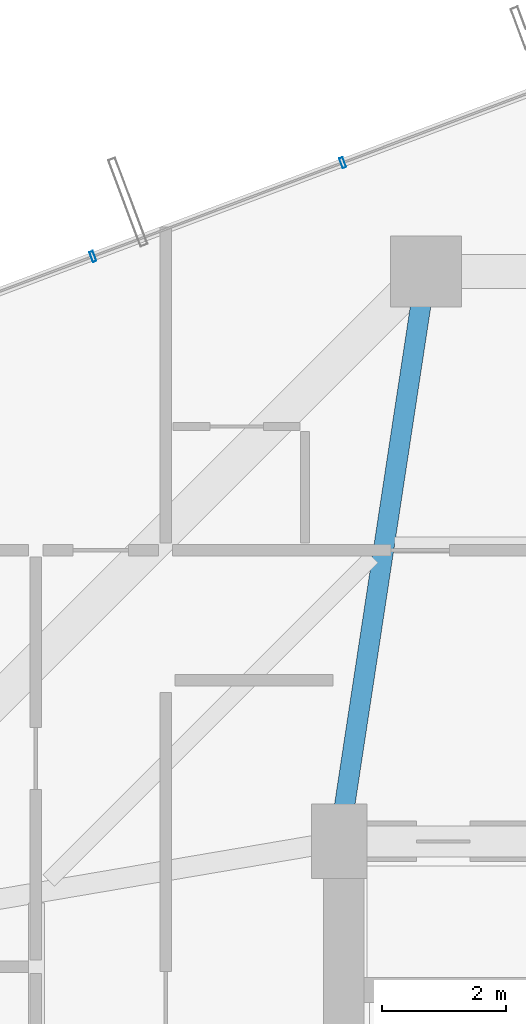
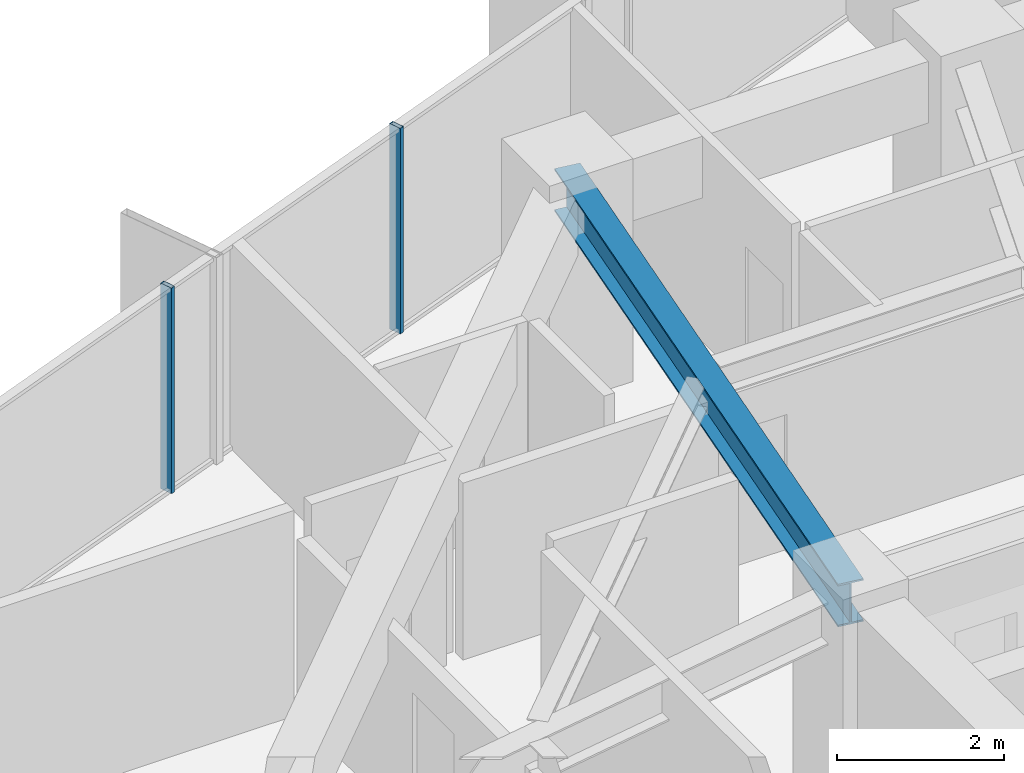
# One storey, part 20 of 30: 2 members, 1 beam, 1 element without a shape of its own.
"""IFC4 building model written with IfcOpenShell, lengths in metres."""

from ifc_helpers import new_model, si_unit, direction, frame, origin, origin_2d, place, context, subcontext, project, spatial, hollow_rectangle, i_section, extrude, source, transform, mapped, material, layer, layer_set, material_profile, profile_set, type_object, element, aggregate, save


model = new_model("IFC4")

# Units and contexts
model_context = context("Model", 3, precision=1e-05, world=origin(), true_north=direction((0.0, 1.0)))
body_context = subcontext(model_context, "Body", "Model", "MODEL_VIEW")
ifc_project = project(units=[si_unit("LENGTHUNIT", "METRE"), si_unit("AREAUNIT", "SQUARE_METRE"), si_unit("VOLUMEUNIT", "CUBIC_METRE"), si_unit("PLANEANGLEUNIT", "RADIAN"), si_unit("MASSUNIT", "GRAM", prefix="KILO")], contexts=[model_context])

# Site, building, storey
site_placement = place(None, origin())
site = spatial("IfcSite", under=ifc_project, at=site_placement, CompositionType="ELEMENT")
building_placement = place(site_placement, origin())
building = spatial("IfcBuilding", under=site, at=building_placement, Name="Veraguas Prism Commons", CompositionType="ELEMENT")
storey_placement = place(building_placement, frame((0.0, 0.0, 95.949951171875)))
storey = spatial("IfcBuildingStorey", under=building, at=storey_placement, Name="L26", CompositionType="ELEMENT", Elevation=95.949951171875)

# Beam
ifc_material_1 = material(Name="Steel ASTM A992 Grade 50", Category="steel")
ifc_material_profile_1 = material_profile(ifc_material_1, i_section(OverallWidth=0.327880859375, OverallDepth=0.6220703125, WebThickness=0.015380859375, FlangeThickness=0.0244140625, at=origin_2d()), Name="W610X195")
ifc_profile_set_1 = profile_set([ifc_material_profile_1], Name="Steel ASTM A992 Grade 50")
beam_type = type_object("IfcBeamType", Name="Zone 2 Radial Girder W610x195", PredefinedType="BEAM", material=ifc_profile_set_1)
beam_placement = place(storey_placement, frame((18.60009765625, 40.199951171875, 2.68896484375), z_axis=(-0.150458162136, -0.98861637729, 0.0), x_axis=(0.98861637729, -0.150458162136, 0.0)))
element("IfcBeam", 1, at=beam_placement, inside=storey, type_object=beam_type, Name="Radial Floor Girder L26-RD06", PredefinedType="BEAM", context=body_context, shape_type="SweptSolid", body=[
    extrude(i_section(OverallWidth=0.327880859375, OverallDepth=0.6220703125, WebThickness=0.015380859375, FlangeThickness=0.0244140625, at=origin_2d()), origin(), (0.0, 0.0, 1.0), 9.305908203125),
])

# Curtain wall, members
ifc_material_2 = material(Name="Anodised aluminium EN AW-6063 T6", Category="aluminium")
ifc_layer = layer(ifc_material_2, 0.169921875, Name="Unitised Flush Curtain Wall Zone 2", Category="aluminium")
ifc_layer_set = layer_set([ifc_layer], Name="Anodised aluminium EN AW-6063 T6")
curtain_wall_type = type_object("IfcCurtainWallType", Name="Unitised Flush Curtain Wall Zone 2", PredefinedType="NOTDEFINED", material=ifc_layer_set)
curtain_wall_placement = place(storey_placement, origin())
curtain_wall = element("IfcCurtainWall", 2, at=curtain_wall_placement, inside=storey, type_object=curtain_wall_type, Name="Tower Facade Curtain Wall L26-F2", PredefinedType="NOTDEFINED")
ifc_material_profile_2 = material_profile(ifc_material_2, hollow_rectangle(XDim=0.06005859375, YDim=0.169921875, WallThickness=0.00390625, at=origin_2d()), Name="AL60X170X4")
ifc_profile_set_2 = profile_set([ifc_material_profile_2], Name="Anodised aluminium EN AW-6063 T6")
member_type = type_object("IfcMemberType", Name="Curtain Wall Mullion Lower AL 60x170x4", PredefinedType="MULLION", material=ifc_profile_set_2)
shared_shape = source(origin(), body_context, "Body", "SweptSolid", [
    extrude(hollow_rectangle(XDim=0.06005859375, YDim=0.169921875, WallThickness=0.00390625, at=origin_2d()), origin(), (0.0, 0.0, 1.0), 3.0),
])
member_1_placement = place(storey_placement, frame((17.257080078125, 41.958251953125, 0.0), z_axis=(0.0, 0.0, 1.0), x_axis=(-0.93618290812, -0.351513246611, 0.0)))
member_1 = element("IfcMember", 3, at=member_1_placement, type_object=member_type, Name="CW-Z2 Mullion 3", PredefinedType="MULLION", context=body_context, shape_type="MappedRepresentation", body=[
    mapped(shared_shape, transform((0.0, 0.0, 0.0), scale=1.0)),
])
member_2_placement = place(storey_placement, frame((13.223388671875, 40.443603515625, 0.0), z_axis=(0.0, 0.0, 1.0), x_axis=(-0.93618290812, -0.351513246611, 0.0)))
member_2 = element("IfcMember", 4, at=member_2_placement, type_object=member_type, Name="CW-Z2 Mullion 4", PredefinedType="MULLION", context=body_context, shape_type="MappedRepresentation", body=[
    mapped(shared_shape, transform((0.0, 0.0, 0.0), scale=1.0)),
])
aggregate(curtain_wall, [member_1, member_2])

save(model, "model.ifc")
